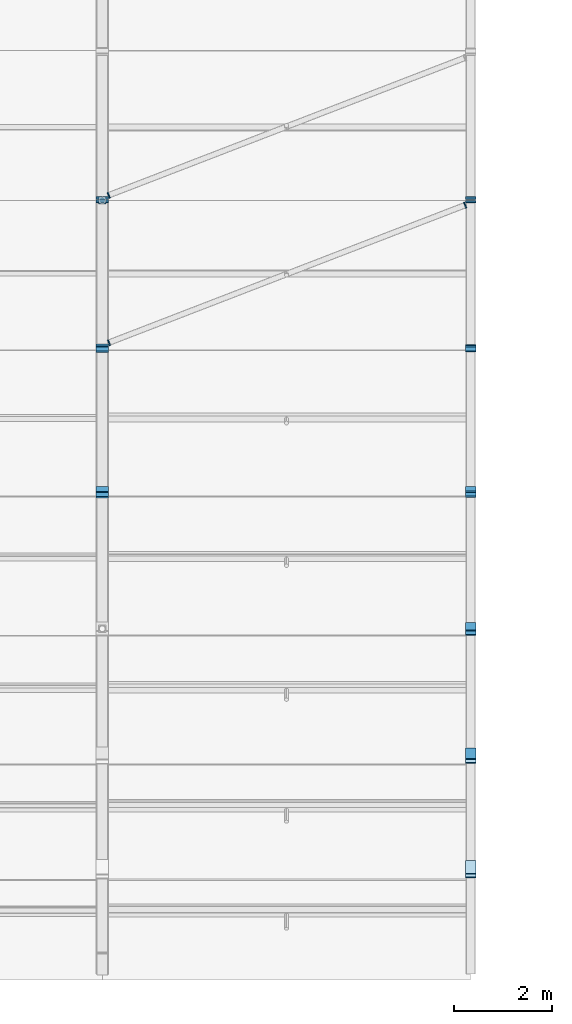
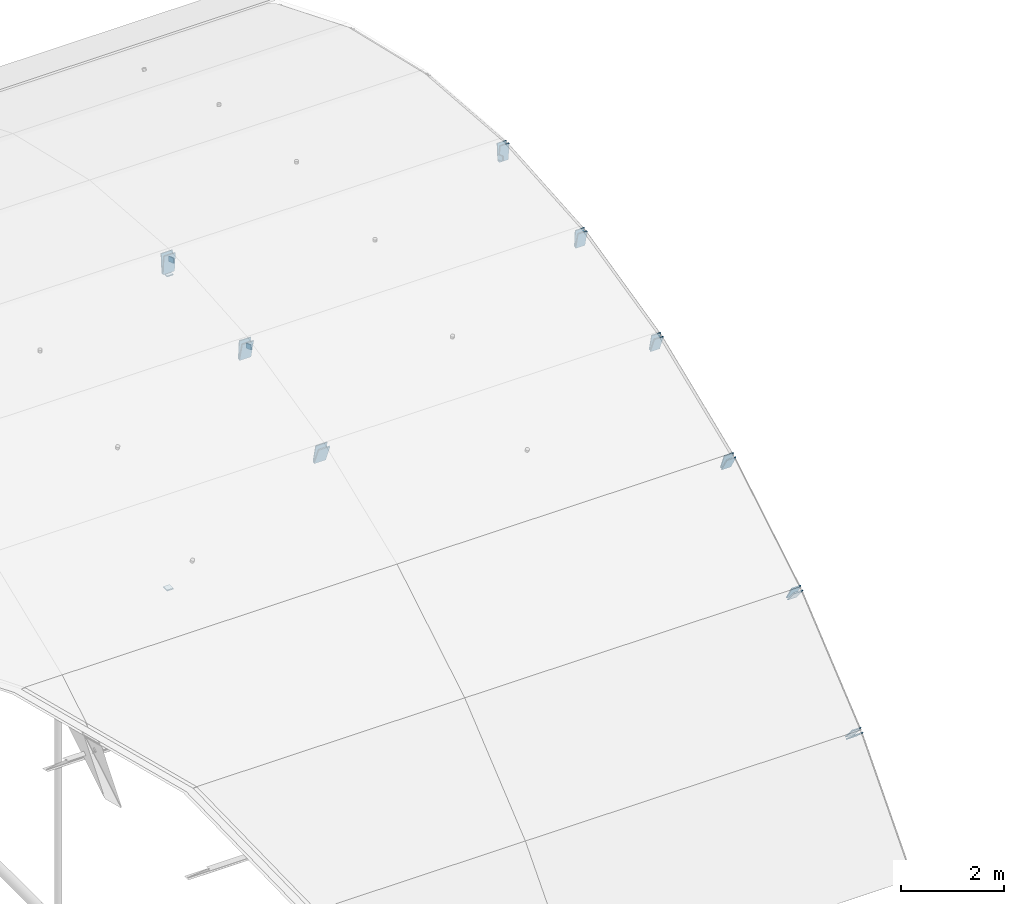
# One storey, part 53 of 77: 23 plates.
"""IFC4 building model written with IfcOpenShell, lengths in metres."""

import ifcopenshell
import ifcopenshell.guid

model = None  # the IFC model being written
_history = None  # IfcOwnerHistory: only IFC2X3 demands one
_inside = {}  # id of a spatial element -> (the spatial element, [elements in it])
_under = {}  # id of a project, library or spatial element -> (it, [spatial elements below it])
_declared = {}  # id of a project -> (the project, [libraries it declares])
_typed = {}  # id of a type object -> (the type object, [elements of that type])
_made_of = {}  # id of a material, layer set ... -> (it, [elements and type objects made of it])


def new_model(schema):
    """Start an empty IFC model of exactly this schema.

    Asked for "IFC4X3", IfcOpenShell would pick the latest addendum, in which some entities
    have other attributes; the version numbers below select the first issue.
    IFC2X3 requires an IfcOwnerHistory on every rooted entity: one is made here for all.
    """
    global model, _history
    if schema == "IFC4X3":
        model = ifcopenshell.file(schema_version=(4, 3, 0, 0))
    else:
        model = ifcopenshell.file(schema=schema)
    _inside.clear()
    _under.clear()
    _declared.clear()
    _typed.clear()
    _made_of.clear()
    _history = None
    if model.schema == "IFC2X3":
        org = make("IfcOrganization", Name="unknown")
        user = make(
            "IfcPersonAndOrganization",
            ThePerson=make("IfcPerson", FamilyName="unknown"),
            TheOrganization=org,
        )
        app = make(
            "IfcApplication",
            ApplicationDeveloper=org,
            Version="unknown",
            ApplicationFullName="unknown",
            ApplicationIdentifier="unknown",
        )
        _history = make(
            "IfcOwnerHistory",
            OwningUser=user,
            OwningApplication=app,
            ChangeAction="ADDED",
            CreationDate=0,
        )
    return model


def make(cls, **values):
    """One entity of the class cls with the attributes given. An attribute that is None is left unset."""
    return model.create_entity(
        cls, **{name: value for name, value in values.items() if value is not None}
    )


def rooted(cls, **values):
    """An entity with a GlobalId (a new one), such as an element, a storey or a relation."""
    return make(cls, GlobalId=ifcopenshell.guid.new(), OwnerHistory=_history, **values)


def si_unit(unit_type, name, prefix=None):
    """IfcSIUnit, for example si_unit("LENGTHUNIT", "METRE", prefix="MILLI")."""
    return make("IfcSIUnit", UnitType=unit_type, Prefix=prefix, Name=name)


def assignment(units):
    """IfcUnitAssignment: the units of a project."""
    return None if units is None else make("IfcUnitAssignment", Units=units)


def point(xyz):
    """IfcCartesianPoint."""
    return None if xyz is None else make("IfcCartesianPoint", Coordinates=xyz)


def direction(xyz):
    """IfcDirection."""
    return None if xyz is None else make("IfcDirection", DirectionRatios=xyz)


def frame(location, z_axis=None, x_axis=None):
    """IfcAxis2Placement3D, a coordinate frame: its origin and axes. An axis left out is left unset."""
    return make(
        "IfcAxis2Placement3D",
        Location=point(location),
        Axis=direction(z_axis),
        RefDirection=direction(x_axis),
    )


def frame_2d(location, x_axis=None):
    """IfcAxis2Placement2D, a coordinate frame in the plane: its origin and x axis."""
    return make(
        "IfcAxis2Placement2D", Location=point(location), RefDirection=direction(x_axis)
    )


def origin():
    """The frame at (0, 0, 0) with its axes left unset."""
    return frame((0.0, 0.0, 0.0))


def origin_2d():
    """The frame at (0, 0) in the plane with its x axis left unset."""
    return frame_2d((0.0, 0.0))


def place(relative_to, where):
    """IfcLocalPlacement: puts the frame where relative to a parent placement (None: the world)."""
    return make(
        "IfcLocalPlacement", PlacementRelTo=relative_to, RelativePlacement=where
    )


def context(
    kind, dimensions, precision=None, world=None, true_north=None, identifier=None
):
    """IfcGeometricRepresentationContext, for example the 3D "Model" context."""
    return make(
        "IfcGeometricRepresentationContext",
        ContextIdentifier=identifier,
        ContextType=kind,
        CoordinateSpaceDimension=dimensions,
        Precision=precision,
        WorldCoordinateSystem=world,
        TrueNorth=true_north,
    )


def subcontext(parent, identifier, kind, view, scale=None):
    """IfcGeometricRepresentationSubContext, for example "Body" below "Model"."""
    return make(
        "IfcGeometricRepresentationSubContext",
        ContextIdentifier=identifier,
        ContextType=kind,
        ParentContext=parent,
        TargetScale=scale,
        TargetView=view,
    )


def project(units=None, contexts=None):
    """IfcProject with its units and contexts."""
    return rooted(
        "IfcProject",
        Name="project",
        RepresentationContexts=contexts,
        UnitsInContext=assignment(units),
    )


def spatial(cls, under=None, at=None, **own):
    """A site, building, storey or space (cls), placed at a placement, below another one or the project."""
    s = rooted(cls, ObjectPlacement=at, **own)
    if under is not None:
        _under.setdefault(under.id(), (under, []))[1].append(s)
    return s


def profile(cls, at=None, kind="AREA", **sizes):
    """A parametric profile (cls). Its sizes go by their IFC names, for example OverallWidth=200.0."""
    return make(cls, ProfileType=kind, Position=at, **sizes)


def rectangle(**sizes):
    """IfcRectangleProfileDef."""
    return profile("IfcRectangleProfileDef", **sizes)


def extrude(swept, where, along, depth):
    """IfcExtrudedAreaSolid: the profile swept, set in the frame where, extruded along a direction by depth."""
    return make(
        "IfcExtrudedAreaSolid",
        SweptArea=swept,
        Position=where,
        ExtrudedDirection=direction(along),
        Depth=depth,
    )


def shape(context_of_items, identifier, shape_type, items):
    """IfcShapeRepresentation: the items that make up one representation, for example the "Body"."""
    return make(
        "IfcShapeRepresentation",
        ContextOfItems=context_of_items,
        RepresentationIdentifier=identifier,
        RepresentationType=shape_type,
        Items=items,
    )


def material(Name=None, Category=None):
    """IfcMaterial."""
    return make("IfcMaterial", Name=Name, Category=Category)


def layer(
    of_material, thickness, ventilated=None, Name=None, Category=None, Priority=None
):
    """IfcMaterialLayer: one layer of a wall or slab, of a material (None: an air gap)."""
    return make(
        "IfcMaterialLayer",
        Material=of_material,
        LayerThickness=thickness,
        IsVentilated=ventilated,
        Name=Name,
        Category=Category,
        Priority=Priority,
    )


def layer_set(layers, Name=None):
    """IfcMaterialLayerSet."""
    return make("IfcMaterialLayerSet", MaterialLayers=layers, LayerSetName=Name)


def made_of(thing, what):
    """Note that an element or type object is made of a material, layer set ...; save() writes the relation."""
    if what is not None:
        _made_of.setdefault(what.id(), (what, []))[1].append(thing)
    return thing


def type_object(cls, material=None, **own):
    """A type object (cls), such as IfcWallType, which elements share."""
    return made_of(rooted(cls, **own), material)


def element(
    cls,
    number,
    at=None,
    inside=None,
    cuts=None,
    type_object=None,
    material=None,
    context=None,
    identifier="Body",
    shape_type=None,
    held_by="IfcProductDefinitionShape",
    body=None,
    shapes=None,
    **own,
):
    """One element of the class cls, such as IfcWall. Its Tag is "e" and its number.

    at: its placement. inside: the storey or other place that contains it. cuts: it is an
    opening in that element (IfcRelVoidsElement). A single representation is given by context,
    identifier, shape_type and body (its items); several are given by shapes. held_by: the class
    of the entity that holds the representations. save() writes the other relations.
    """
    e = rooted(cls, Tag="e%d" % number, ObjectPlacement=at, **own)
    if body is not None:
        shapes = [shape(context, identifier, shape_type, body)]
    if shapes is not None:
        e.Representation = make(held_by, Representations=shapes)
    if inside is not None:
        _inside.setdefault(inside.id(), (inside, []))[1].append(e)
    if cuts is not None:
        rooted(
            "IfcRelVoidsElement", RelatingBuildingElement=cuts, RelatedOpeningElement=e
        )
    if type_object is not None:
        _typed.setdefault(type_object.id(), (type_object, []))[1].append(e)
    return made_of(e, material)


def aggregate(whole, parts):
    """IfcRelAggregates: a whole, such as a stair, and the parts it consists of."""
    return rooted("IfcRelAggregates", RelatingObject=whole, RelatedObjects=parts)


def save(model, path):
    """Write the relations noted so far, then the file.

    IfcRelAggregates (storeys below a building ...), IfcRelContainedInSpatialStructure (elements
    in a storey), IfcRelDefinesByType, IfcRelAssociatesMaterial and IfcRelDeclares: one each for
    every whole, place, type object, material and project.
    """
    for whole, parts in _under.values():
        aggregate(whole, parts)
    for where, things in _inside.values():
        rooted(
            "IfcRelContainedInSpatialStructure",
            RelatedElements=things,
            RelatingStructure=where,
        )
    for kind, things in _typed.values():
        rooted("IfcRelDefinesByType", RelatedObjects=things, RelatingType=kind)
    for what, things in _made_of.values():
        rooted("IfcRelAssociatesMaterial", RelatedObjects=things, RelatingMaterial=what)
    for by, libraries in _declared.values():
        rooted("IfcRelDeclares", RelatingContext=by, RelatedDefinitions=libraries)
    model.write(path)


model = new_model("IFC4")

# Units and contexts
model_context = context("Model", 3, precision=1e-05, world=origin(), true_north=direction((0.0, 1.0)))
body_context = subcontext(model_context, "Body", "Model", "MODEL_VIEW")
ifc_project = project(units=[si_unit("LENGTHUNIT", "METRE"), si_unit("AREAUNIT", "SQUARE_METRE"), si_unit("VOLUMEUNIT", "CUBIC_METRE"), si_unit("PLANEANGLEUNIT", "RADIAN"), si_unit("MASSUNIT", "GRAM", prefix="KILO")], contexts=[model_context])

# Site, building, storey
site_placement = place(None, origin())
site = spatial("IfcSite", under=ifc_project, at=site_placement, CompositionType="ELEMENT")
building_placement = place(site_placement, origin())
building = spatial("IfcBuilding", under=site, at=building_placement, Name="Yukiwa Park Conservatory and Herbarium", CompositionType="ELEMENT")
storey_placement = place(building_placement, frame((0.0, 0.0, 13.199951171875)))
storey = spatial("IfcBuildingStorey", under=building, at=storey_placement, Name="L03", CompositionType="ELEMENT", Elevation=13.199951171875)

# Plates
ifc_material_1 = material(Name="Steel Q355D", Category="steel")
ifc_layer_1 = layer(ifc_material_1, 0.02392578125)
ifc_layer_set_1 = layer_set([ifc_layer_1], Name="Steel Q355D")
plate_type_1 = type_object("IfcPlateType", Name="PL-CAP-24", PredefinedType="USERDEFINED", material=ifc_layer_set_1)
for number, where, z_axis, x_axis, name in (
    (1, (52.5, 9.631103515625, 2.660888671875), (0.0, 0.926355609378, 0.376650082934), (-1.0, 0.0, 0.0), "Hollow section end cap plate CAP-RIB08-C04B"),
    (2, (52.5, 9.724609375, 2.689208984375), (0.0, -0.974732318528, -0.223376156329), (1.0, 0.0, 0.0), "Hollow section end cap plate CAP-RIB08-C05A"),
):
    element("IfcPlate", number, at=place(storey_placement, frame(where, z_axis=z_axis, x_axis=x_axis)), inside=storey, type_object=plate_type_1, Name=name, ObjectType="END CAP PLATE", PredefinedType="USERDEFINED", context=body_context, shape_type="SweptSolid", body=[
        extrude(rectangle(XDim=0.258056640625, YDim=0.4580078125, at=origin_2d()), origin(), (0.0, 0.0, 1.0), 0.02392578125),
    ])
plate_1_placement = place(storey_placement, frame((52.5, 12.559326171875, 3.3583984375), z_axis=(0.0, 0.972479178012, 0.232989803065), x_axis=(-1.0, 0.0, 0.0)))
element("IfcPlate", 3, at=plate_1_placement, inside=storey, type_object=plate_type_1, Name="Hollow section end cap plate CAP-RIB08-C05B", ObjectType="END CAP PLATE", PredefinedType="USERDEFINED", context=body_context, shape_type="SweptSolid", body=[
    extrude(rectangle(XDim=0.258056640625, YDim=0.4580078125, at=origin_2d()), origin(), (0.0, 0.0, 1.0), 0.024169921875),
])
for number, where, z_axis, x_axis, name in (
    (4, (52.5, 12.656005859375, 3.3720703125), (0.0, -0.997458699831, -0.071247049988), (1.0, 0.0, 0.0), "Hollow section end cap plate CAP-RIB08-C06A"),
    (5, (52.5, 15.56005859375, 3.596923828125), (0.0, 0.996684615823, 0.081362009455), (-1.0, 0.0, 0.0), "Hollow section end cap plate CAP-RIB08-C06B"),
    (6, (52.5, 15.65771484375, 3.595458984375), (0.0, -0.996684615823, 0.081362009455), (1.0, 0.0, 0.0), "Hollow section end cap plate CAP-RIB08-C07A"),
):
    element("IfcPlate", number, at=place(storey_placement, frame(where, z_axis=z_axis, x_axis=x_axis)), inside=storey, type_object=plate_type_1, Name=name, ObjectType="END CAP PLATE", PredefinedType="USERDEFINED", context=body_context, shape_type="SweptSolid", body=[
        extrude(rectangle(XDim=0.258056640625, YDim=0.4580078125, at=origin_2d()), origin(), (0.0, 0.0, 1.0), 0.02392578125),
    ])
for number, where, z_axis, x_axis, name in (
    (7, (60.0, 1.96044921875, -1.968017578125), (0.0, 0.659940990637, 0.751317435494), (-1.0, 0.0, 0.0), "Hollow section end cap plate CAP-RIB09-C01B"),
    (8, (60.0, 2.031494140625, -1.90087890625), (0.0, -0.76570486479, -0.643192086423), (1.0, 0.0, 0.0), "Hollow section end cap plate CAP-RIB09-C02A"),
    (9, (60.0, 4.267822265625, -0.034423828125), (0.0, 0.76570486479, 0.643192086423), (-1.0, 0.0, 0.0), "Hollow section end cap plate CAP-RIB09-C02B"),
    (10, (60.0, 4.34814453125, 0.02099609375), (0.0, -0.854787515222, -0.518978134242), (1.0, 0.0, 0.0), "Hollow section end cap plate CAP-RIB09-C03A"),
):
    element("IfcPlate", number, at=place(storey_placement, frame(where, z_axis=z_axis, x_axis=x_axis)), inside=storey, type_object=plate_type_1, Name=name, ObjectType="END CAP PLATE", PredefinedType="USERDEFINED", context=body_context, shape_type="SweptSolid", body=[
        extrude(rectangle(XDim=0.2080078125, YDim=0.407958984375, at=origin_2d()), origin(), (0.0, 0.0, 1.0), 0.02392578125),
    ])
plate_2_placement = place(storey_placement, frame((60.0, 6.844970703125, 1.520751953125), z_axis=(0.0, 0.857492925713, 0.514495755428), x_axis=(-1.0, 0.0, 0.0)))
element("IfcPlate", 11, at=plate_2_placement, inside=storey, type_object=plate_type_1, Name="Hollow section end cap plate CAP-RIB09-C03B", ObjectType="END CAP PLATE", PredefinedType="USERDEFINED", context=body_context, shape_type="SweptSolid", body=[
    extrude(rectangle(XDim=0.2080078125, YDim=0.407958984375, at=origin_2d()), origin(), (0.0, 0.0, 1.0), 0.024169921875),
])
for number, where, z_axis, x_axis, name in (
    (12, (60.0, 6.93310546875, 1.563232421875), (0.0, -0.926355609378, -0.376650082934), (1.0, 0.0, 0.0), "Hollow section end cap plate CAP-RIB09-C04A"),
    (13, (60.0, 9.631103515625, 2.660888671875), (0.0, 0.926355609378, 0.376650082934), (-1.0, 0.0, 0.0), "Hollow section end cap plate CAP-RIB09-C04B"),
    (14, (60.0, 9.724609375, 2.689208984375), (0.0, -0.974732318528, -0.223376156329), (1.0, 0.0, 0.0), "Hollow section end cap plate CAP-RIB09-C05A"),
):
    element("IfcPlate", number, at=place(storey_placement, frame(where, z_axis=z_axis, x_axis=x_axis)), inside=storey, type_object=plate_type_1, Name=name, ObjectType="END CAP PLATE", PredefinedType="USERDEFINED", context=body_context, shape_type="SweptSolid", body=[
        extrude(rectangle(XDim=0.2080078125, YDim=0.407958984375, at=origin_2d()), origin(), (0.0, 0.0, 1.0), 0.02392578125),
    ])
plate_3_placement = place(storey_placement, frame((60.0, 12.559326171875, 3.3583984375), z_axis=(0.0, 0.972479178012, 0.232989803065), x_axis=(-1.0, 0.0, 0.0)))
element("IfcPlate", 15, at=plate_3_placement, inside=storey, type_object=plate_type_1, Name="Hollow section end cap plate CAP-RIB09-C05B", ObjectType="END CAP PLATE", PredefinedType="USERDEFINED", context=body_context, shape_type="SweptSolid", body=[
    extrude(rectangle(XDim=0.2080078125, YDim=0.407958984375, at=origin_2d()), origin(), (0.0, 0.0, 1.0), 0.024169921875),
])
for number, where, z_axis, x_axis, name in (
    (16, (60.0, 12.656005859375, 3.3720703125), (0.0, -0.997458699831, -0.071247049988), (1.0, 0.0, 0.0), "Hollow section end cap plate CAP-RIB09-C06A"),
    (17, (60.0, 15.56005859375, 3.596923828125), (0.0, 0.996684615823, 0.081362009455), (-1.0, 0.0, 0.0), "Hollow section end cap plate CAP-RIB09-C06B"),
    (18, (60.0, 15.65771484375, 3.595458984375), (0.0, -0.996684615823, 0.081362009455), (1.0, 0.0, 0.0), "Hollow section end cap plate CAP-RIB09-C07A"),
):
    element("IfcPlate", number, at=place(storey_placement, frame(where, z_axis=z_axis, x_axis=x_axis)), inside=storey, type_object=plate_type_1, Name=name, ObjectType="END CAP PLATE", PredefinedType="USERDEFINED", context=body_context, shape_type="SweptSolid", body=[
        extrude(rectangle(XDim=0.2080078125, YDim=0.407958984375, at=origin_2d()), origin(), (0.0, 0.0, 1.0), 0.02392578125),
    ])
plate_4_placement = place(storey_placement, frame((52.644287109375, 12.70751953125, 3.328369140625), z_axis=(-0.934214787691, -0.355407799665, -0.030463525686), x_axis=(0.355572828447, -0.934648577632, 0.0)))
element("IfcPlate", 19, at=plate_4_placement, inside=storey, type_object=plate_type_1, Name="Hollow section end cap plate CAP-VWBR-B8-F5A", ObjectType="END CAP PLATE", PredefinedType="USERDEFINED", context=body_context, shape_type="SweptSolid", body=[
    extrude(rectangle(XDim=0.122314453125, YDim=0.122314453125, at=origin_2d()), origin(), (0.0, 0.0, 1.0), 0.02392578125),
])
for number, where, z_axis, x_axis, name in (
    (20, (59.87255859375, 15.4970703125, 3.559814453125), (0.930813712439, 0.364231452693, 0.030352621058), (-0.364399348581, 0.931242779706, 0.0), "Hollow section end cap plate CAP-VWBR-B8-F5B"),
    (21, (52.644287109375, 15.70947265625, 3.559326171875), (-0.930813712439, -0.364231452693, 0.030352621058), (0.364399348581, -0.931242779706, 0.0), "Hollow section end cap plate CAP-VWBR-B8-F6A"),
):
    element("IfcPlate", number, at=place(storey_placement, frame(where, z_axis=z_axis, x_axis=x_axis)), inside=storey, type_object=plate_type_1, Name=name, ObjectType="END CAP PLATE", PredefinedType="USERDEFINED", context=body_context, shape_type="SweptSolid", body=[
        extrude(rectangle(XDim=0.122314453125, YDim=0.122314453125, at=origin_2d()), origin(), (0.0, 0.0, 1.0), 0.024169921875),
    ])
ifc_material_2 = material(Name="Steel Q355D", Category="steel")
ifc_layer_2 = layer(ifc_material_2, 0.02392578125)
ifc_layer_set_2 = layer_set([ifc_layer_2], Name="Steel Q355D")
plate_type_2 = type_object("IfcPlateType", Name="PL-CAP-24-INT", PredefinedType="USERDEFINED", material=ifc_layer_set_2)
for number, where, z_axis, x_axis, name in (
    (22, (52.5, 15.60009765625, -4.087890625), (0.0, 0.0, -1.0), (1.0, 0.0, 0.0), "Hollow section end cap plate CAP-VHNG-08-6B"),
    (23, (52.5, 15.60009765625, 3.322998046875), (0.0, 0.0, 1.0), (1.0, 0.0, 0.0), "Hollow section end cap plate CAP-VHNG-08-6T"),
):
    element("IfcPlate", number, at=place(storey_placement, frame(where, z_axis=z_axis, x_axis=x_axis)), inside=storey, type_object=plate_type_2, Name=name, ObjectType="END CAP PLATE", PredefinedType="USERDEFINED", context=body_context, shape_type="SweptSolid", body=[
        extrude(rectangle(XDim=0.147705078125, YDim=0.147705078125, at=origin_2d()), origin(), (0.0, 0.0, 1.0), 0.024169921875),
    ])

save(model, "model.ifc")
